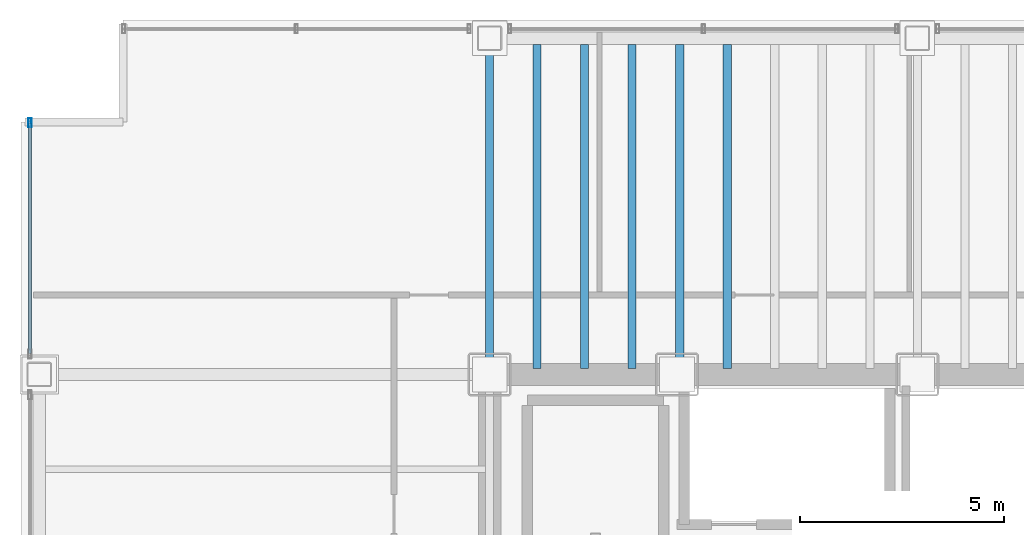
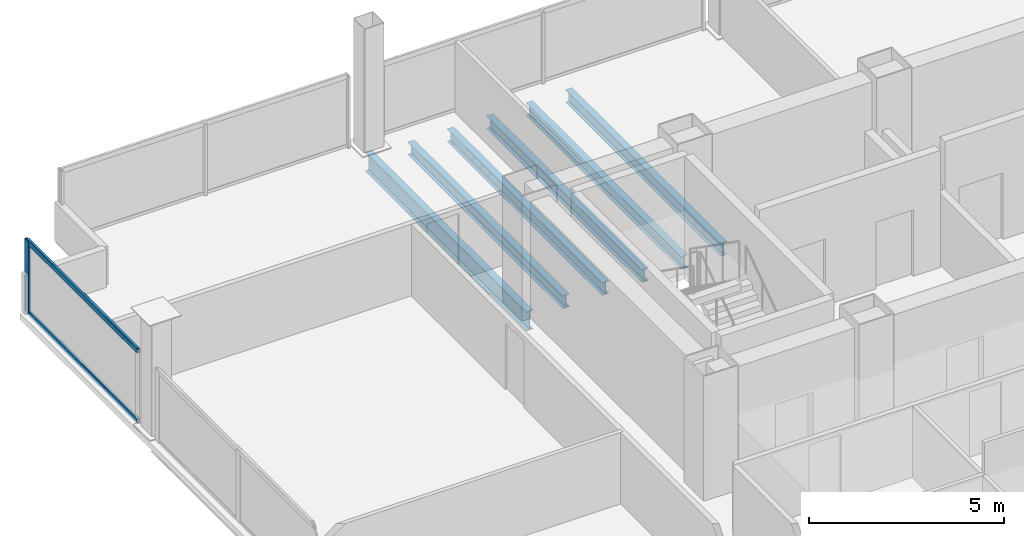
# One storey, part 7 of 21: 6 beams, 3 members, 1 element without a shape of its own.
"""IFC4 building model written with IfcOpenShell, lengths in metres."""

from ifc_helpers import new_model, si_unit, direction, frame, origin, origin_2d, place, context, subcontext, project, spatial, hollow_rectangle, i_section, extrude, material, material_profile, profile_set, type_object, element, aggregate, save


model = new_model("IFC4")

# Units and contexts
model_context = context("Model", 3, precision=1e-05, world=origin(), true_north=direction((0.0, 1.0)))
body_context = subcontext(model_context, "Body", "Model", "MODEL_VIEW")
ifc_project = project(units=[si_unit("LENGTHUNIT", "METRE"), si_unit("AREAUNIT", "SQUARE_METRE"), si_unit("VOLUMEUNIT", "CUBIC_METRE"), si_unit("PLANEANGLEUNIT", "RADIAN"), si_unit("MASSUNIT", "GRAM", prefix="KILO")], contexts=[model_context])

# Site, building, storey
site_placement = place(None, origin())
site = spatial("IfcSite", under=ifc_project, at=site_placement, CompositionType="ELEMENT")
building_placement = place(site_placement, origin())
building = spatial("IfcBuilding", under=site, at=building_placement, Name="Noeulbin Bourse Tower", CompositionType="ELEMENT")
storey_placement = place(building_placement, frame((0.0, 0.0, 49.89990234375)))
storey = spatial("IfcBuildingStorey", under=building, at=storey_placement, Name="L12", CompositionType="ELEMENT", Elevation=49.89990234375)

# Beams
ifc_material_1 = material(Name="Steel S355", Category="steel")
ifc_material_profile_1 = material_profile(ifc_material_1, i_section(OverallWidth=0.199951171875, OverallDepth=0.60009765625, WebThickness=0.010986328125, FlangeThickness=0.01708984375, FilletRadius=0.02197265625, at=origin_2d()), Name="H-600x200x11x17", Category="LoadBearing")
ifc_profile_set_1 = profile_set([ifc_material_profile_1], Name="Steel S355")
beam_type_1 = type_object("IfcBeamType", Name="BM-GRD-600", PredefinedType="USERDEFINED", material=ifc_profile_set_1)
beam_placement = place(storey_placement, frame((13.5, 38.300048828125, -0.47998046875), z_axis=(0.0, 1.0, 0.0), x_axis=(-1.0, 0.0, 0.0)))
element("IfcBeam", 1, at=beam_placement, inside=storey, type_object=beam_type_1, Name="Tower Primary Girder NS L12-1.4", ObjectType="GIRDER", PredefinedType="USERDEFINED", context=body_context, shape_type="SweptSolid", body=[
    extrude(i_section(OverallWidth=0.199951171875, OverallDepth=0.60009765625, WebThickness=0.010986328125, FlangeThickness=0.01708984375, FilletRadius=0.02197265625, at=origin_2d()), origin(), (0.0, 0.0, 1.0), 8.25),
])
ifc_material_profile_2 = material_profile(ifc_material_1, i_section(OverallWidth=0.199951171875, OverallDepth=0.39990234375, WebThickness=0.008056640625, FlangeThickness=0.012939453125, FilletRadius=0.01611328125, at=origin_2d()), Name="H-400x200x8x13", Category="LoadBearing")
ifc_profile_set_2 = profile_set([ifc_material_profile_2], Name="Steel S355")
beam_type_2 = type_object("IfcBeamType", Name="BM-SEC-400", PredefinedType="BEAM", material=ifc_profile_set_2)
for number, where, z_axis, x_axis, name in (
    (2, (14.666748046875, 38.449951171875, -0.3798828125), (0.0, 1.0, 0.0), (-1.0, 0.0, 0.0), "Tower Composite Joist L12-03"),
    (3, (15.833251953125, 38.449951171875, -0.3798828125), (0.0, 1.0, 0.0), (-1.0, 0.0, 0.0), "Tower Composite Joist L12-06"),
    (4, (17.0, 38.449951171875, -0.3798828125), (0.0, 1.0, 0.0), (-1.0, 0.0, 0.0), "Tower Composite Joist L12-09"),
    (5, (18.166748046875, 38.449951171875, -0.3798828125), (0.0, 1.0, 0.0), (-1.0, 0.0, 0.0), "Tower Composite Joist L12-12"),
    (6, (19.333251953125, 38.449951171875, -0.3798828125), (0.0, 1.0, 0.0), (-1.0, 0.0, 0.0), "Tower Composite Joist L12-15"),
):
    element("IfcBeam", number, at=place(storey_placement, frame(where, z_axis=z_axis, x_axis=x_axis)), inside=storey, type_object=beam_type_2, Name=name, PredefinedType="BEAM", context=body_context, shape_type="SweptSolid", body=[
        extrude(i_section(OverallWidth=0.199951171875, OverallDepth=0.39990234375, WebThickness=0.008056640625, FlangeThickness=0.012939453125, FilletRadius=0.01611328125, at=origin_2d()), origin(), (0.0, 0.0, 1.0), 7.949951171875),
    ])

# Curtain wall, members
ifc_material_2 = material(Name="Dark Solar-Control Double Glazing", Category="glass")
curtain_wall_type = type_object("IfcCurtainWallType", Name="CW-SYS-2", PredefinedType="NOTDEFINED", material=ifc_material_2)
curtain_wall_placement = place(storey_placement, origin())
curtain_wall = element("IfcCurtainWall", 7, at=curtain_wall_placement, inside=storey, type_object=curtain_wall_type, Name="Unitised Curtain Wall CW-L12-W-S4", PredefinedType="NOTDEFINED")
ifc_material_3 = material(Name="Anodised Aluminium 6063-T6", Category="aluminium")
ifc_material_profile_3 = material_profile(ifc_material_3, hollow_rectangle(XDim=0.074951171875, YDim=0.219970703125, WallThickness=0.0048828125, InnerFilletRadius=0.00244140625, OuterFilletRadius=0.0048828125, at=origin_2d()), Name="ALU-MULL-75x220x5", Category="LoadBearing")
ifc_profile_set_3 = profile_set([ifc_material_profile_3], Name="Anodised Aluminium 6063-T6")
member_type_1 = type_object("IfcMemberType", Name="CW-SYS-2-MUL", PredefinedType="MULLION", material=ifc_profile_set_3)
member_1_placement = place(storey_placement, frame((2.219970703125, 44.47998046875, -0.02001953125), z_axis=(0.0, 0.0, 1.0), x_axis=(1.0, 0.0, 0.0)))
member_1 = element("IfcMember", 8, at=member_1_placement, type_object=member_type_1, Name="Curtain Wall Mullion CW-L12-W-S4-M01", PredefinedType="MULLION", context=body_context, shape_type="SweptSolid", body=[
    extrude(hollow_rectangle(XDim=0.074951171875, YDim=0.219970703125, WallThickness=0.0048828125, InnerFilletRadius=0.00244140625, OuterFilletRadius=0.0048828125, at=origin_2d()), origin(), (0.0, 0.0, 1.0), 2.260009765625),
])
ifc_material_profile_4 = material_profile(ifc_material_3, hollow_rectangle(XDim=0.074951171875, YDim=0.159912109375, WallThickness=0.0048828125, InnerFilletRadius=0.00244140625, OuterFilletRadius=0.0048828125, at=origin_2d()), Name="ALU-TRAN-75x160x5", Category="LoadBearing")
ifc_profile_set_4 = profile_set([ifc_material_profile_4], Name="Anodised Aluminium 6063-T6")
member_type_2 = type_object("IfcMemberType", Name="CW-SYS-2-TRN", PredefinedType="USERDEFINED", material=ifc_profile_set_4)
member_2_placement = place(storey_placement, frame((2.219970703125, 38.81005859375, 0.010009765625), z_axis=(0.0, 1.0, 0.0), x_axis=(-1.0, 0.0, 0.0)))
member_2 = element("IfcMember", 9, at=member_2_placement, type_object=member_type_2, Name="Curtain Wall Transom CW-L12-W-S4-T00", ObjectType="TRANSOM", PredefinedType="USERDEFINED", context=body_context, shape_type="SweptSolid", body=[
    extrude(hollow_rectangle(XDim=0.074951171875, YDim=0.159912109375, WallThickness=0.0048828125, InnerFilletRadius=0.00244140625, OuterFilletRadius=0.0048828125, at=origin_2d()), origin(), (0.0, 0.0, 1.0), 5.659912109375),
])
member_3_placement = place(storey_placement, frame((2.219970703125, 38.81005859375, 2.210205078125), z_axis=(0.0, 1.0, 0.0), x_axis=(-1.0, 0.0, 0.0)))
member_3 = element("IfcMember", 10, at=member_3_placement, type_object=member_type_2, Name="Curtain Wall Transom CW-L12-W-S4-T01", ObjectType="TRANSOM", PredefinedType="USERDEFINED", context=body_context, shape_type="SweptSolid", body=[
    extrude(hollow_rectangle(XDim=0.074951171875, YDim=0.159912109375, WallThickness=0.0048828125, InnerFilletRadius=0.00244140625, OuterFilletRadius=0.0048828125, at=origin_2d()), origin(), (0.0, 0.0, 1.0), 5.659912109375),
])
aggregate(curtain_wall, [member_1, member_2, member_3])

save(model, "model.ifc")
